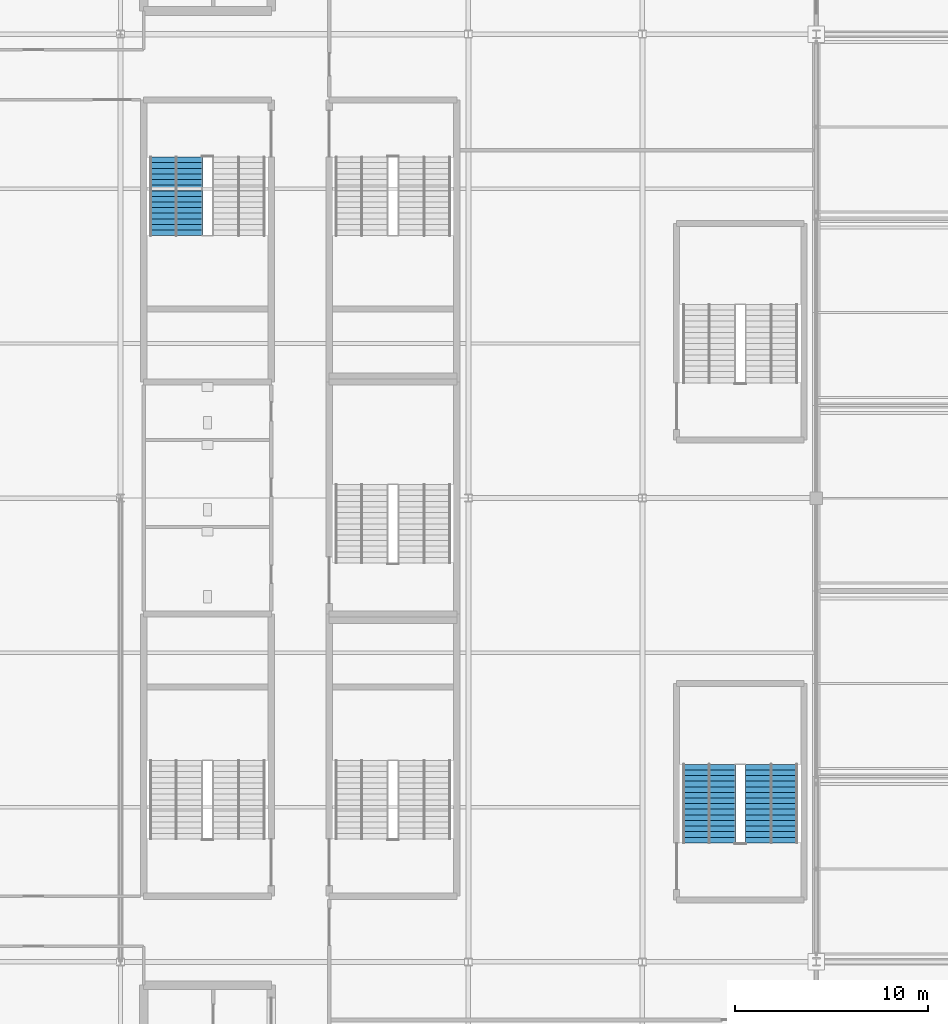
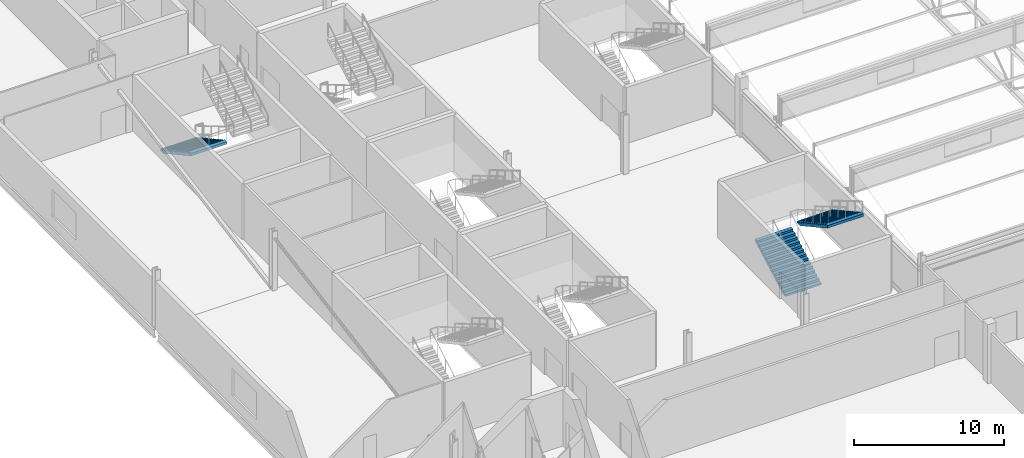
# One storey, part 118 of 136: 3 stair flights, 2 elements without a shape of their own.
"""IFC4 building model written with IfcOpenShell, lengths in metres."""

from ifc_helpers import new_model, si_unit, direction, frame, origin, place, context, subcontext, project, spatial, polygons, material, type_object, element, aggregate, save


model = new_model("IFC4")

# Units and contexts
model_context = context("Model", 3, precision=1e-05, world=origin(), true_north=direction((0.0, 1.0)))
body_context = subcontext(model_context, "Body", "Model", "MODEL_VIEW")
ifc_project = project(units=[si_unit("LENGTHUNIT", "METRE"), si_unit("AREAUNIT", "SQUARE_METRE"), si_unit("VOLUMEUNIT", "CUBIC_METRE"), si_unit("PLANEANGLEUNIT", "RADIAN"), si_unit("MASSUNIT", "GRAM", prefix="KILO")], contexts=[model_context])

# Site, building, storey
site_placement = place(None, origin())
site = spatial("IfcSite", under=ifc_project, at=site_placement, CompositionType="ELEMENT")
building_placement = place(site_placement, origin())
building = spatial("IfcBuilding", under=site, at=building_placement, Name="Kisiwana Market Hall", CompositionType="ELEMENT")
storey_placement = place(building_placement, frame((0.0, 0.0, 16.800048828125)))
storey = spatial("IfcBuildingStorey", under=building, at=storey_placement, Name="L03", CompositionType="ELEMENT", Elevation=16.800048828125)

# Stair, stair flight
ifc_material_1 = material(Name="Concrete C32/40", Category="concrete")
stair_type = type_object("IfcStairType", Name="ST-ESC-4800", PredefinedType="TWO_STRAIGHT_RUN_STAIR", material=ifc_material_1)
stair_1_placement = place(storey_placement, origin())
stair_1 = element("IfcStair", 1, at=stair_1_placement, inside=storey, type_object=stair_type, Name="Escape stair ST-W4-L03", PredefinedType="TWO_STRAIGHT_RUN_STAIR")
ifc_material_2 = material(Name="Concrete C32/40", Category="concrete")
stair_flight_type = type_object("IfcStairFlightType", Name="SF-ESC-4800", PredefinedType="STRAIGHT", material=ifc_material_2)
stair_flight_1_placement = place(storey_placement, frame((11.889892578125, 77.639892578125, 0.0), z_axis=(0.0, 0.0, 1.0), x_axis=(0.0, -1.0, 0.0)))
stair_flight_1 = element("IfcStairFlight", 2, at=stair_flight_1_placement, type_object=stair_flight_type, Name="ST-W4-L03 flight 1", NumberOfRisers=15, NumberOfTreads=14, PredefinedType="STRAIGHT", RiserHeight=0.16, TreadLength=0.29, context=body_context, shape_type="Tessellation", body=[
    polygons([(0.0, -1.380127, 0.0), (0.0, -0.690125, 0.0), (0.0, -0.000122, 0.0), (0.0, 0.68988, 0.0), (0.0, 1.379883, 0.0), (0.0, -1.380127, 0.159912), (0.0, -0.690125, 0.159912), (0.0, -0.000122, 0.159912), (0.0, 0.68988, 0.159912), (0.0, 1.379883, 0.159912), (0.290039, -1.380127, 0.159912), (0.290039, -0.690125, 0.159912), (0.290039, -0.000122, 0.159912), (0.290039, 0.68988, 0.159912), (0.290039, 1.379883, 0.159912), (0.290039, -1.380127, 0.320068), (0.290039, -0.690125, 0.320068), (0.290039, -0.000122, 0.320068), (0.290039, 0.68988, 0.320068), (0.290039, 1.379883, 0.320068), (0.580078, -1.380127, 0.320068), (0.580078, -0.690125, 0.320068), (0.580078, -0.000122, 0.320068), (0.580078, 0.68988, 0.320068), (0.580078, 1.379883, 0.320068), (0.580078, -1.380127, 0.47998), (0.580078, -0.690125, 0.47998), (0.580078, -0.000122, 0.47998), (0.580078, 0.68988, 0.47998), (0.580078, 1.379883, 0.47998), (0.870117, -1.380127, 0.47998), (0.870117, -0.690125, 0.47998), (0.870117, -0.000122, 0.47998), (0.870117, 0.68988, 0.47998), (0.870117, 1.379883, 0.47998), (0.870117, -1.380127, 0.639893), (0.870117, -0.690125, 0.639893), (0.870117, -0.000122, 0.639893), (0.870117, 0.68988, 0.639893), (0.870117, 1.379883, 0.639893), (1.159912, -1.380127, 0.639893), (1.159912, -0.690125, 0.639893), (1.159912, -0.000122, 0.639893), (1.159912, 0.68988, 0.639893), (1.159912, 1.379883, 0.639893), (1.159912, -1.380127, 0.800049), (1.159912, -0.690125, 0.800049), (1.159912, -0.000122, 0.800049), (1.159912, 0.68988, 0.800049), (1.159912, 1.379883, 0.800049), (1.449951, -1.380127, 0.800049), (1.449951, -0.690125, 0.800049), (1.449951, -0.000122, 0.800049), (1.449951, 0.68988, 0.800049), (1.449951, 1.379883, 0.800049), (1.449951, -1.380127, 0.959961), (1.449951, -0.690125, 0.959961), (1.449951, -0.000122, 0.959961), (1.449951, 0.68988, 0.959961), (1.449951, 1.379883, 0.959961), (1.73999, -1.380127, 0.959961), (1.73999, -0.690125, 0.959961), (1.73999, -0.000122, 0.959961), (1.73999, 0.68988, 0.959961), (1.73999, 1.379883, 0.959961), (1.73999, -1.380127, 1.120117), (1.73999, -0.690125, 1.120117), (1.73999, -0.000122, 1.120117), (1.73999, 0.68988, 1.120117), (1.73999, 1.379883, 1.120117), (2.030029, -1.380127, 1.120117), (2.030029, -0.690125, 1.120117), (2.030029, -0.000122, 1.120117), (2.030029, 0.68988, 1.120117), (2.030029, 1.379883, 1.120117), (2.030029, -1.380127, 1.280029), (2.030029, -0.690125, 1.280029), (2.030029, -0.000122, 1.280029), (2.030029, 0.68988, 1.280029), (2.030029, 1.379883, 1.280029), (2.320068, -1.380127, 1.280029), (2.320068, -0.690125, 1.280029), (2.320068, -0.000122, 1.280029), (2.320068, 0.68988, 1.280029), (2.320068, 1.379883, 1.280029), (2.320068, -1.380127, 1.439941), (2.320068, -0.690125, 1.439941), (2.320068, -0.000122, 1.439941), (2.320068, 0.68988, 1.439941), (2.320068, 1.379883, 1.439941), (2.610107, -1.380127, 1.439941), (2.610107, -0.690125, 1.439941), (2.610107, -0.000122, 1.439941), (2.610107, 0.68988, 1.439941), (2.610107, 1.379883, 1.439941), (2.610107, -1.380127, 1.600098), (2.610107, -0.690125, 1.600098), (2.610107, -0.000122, 1.600098), (2.610107, 0.68988, 1.600098), (2.610107, 1.379883, 1.600098), (2.899902, -1.380127, 1.600098), (2.899902, -0.690125, 1.600098), (2.899902, -0.000122, 1.600098), (2.899902, 0.68988, 1.600098), (2.899902, 1.379883, 1.600098), (2.899902, -1.380127, 1.76001), (2.899902, -0.690125, 1.76001), (2.899902, -0.000122, 1.76001), (2.899902, 0.68988, 1.76001), (2.899902, 1.379883, 1.76001), (3.189941, -1.380127, 1.76001), (3.189941, -0.690125, 1.76001), (3.189941, -0.000122, 1.76001), (3.189941, 0.68988, 1.76001), (3.189941, 1.379883, 1.76001), (3.189941, -1.380127, 1.919922), (3.189941, -0.690125, 1.919922), (3.189941, -0.000122, 1.919922), (3.189941, 0.68988, 1.919922), (3.189941, 1.379883, 1.919922), (3.47998, -1.380127, 1.919922), (3.47998, -0.690125, 1.919922), (3.47998, -0.000122, 1.919922), (3.47998, 0.68988, 1.919922), (3.47998, 1.379883, 1.919922), (3.47998, -1.380127, 2.080078), (3.47998, -0.690125, 2.080078), (3.47998, -0.000122, 2.080078), (3.47998, 0.68988, 2.080078), (3.47998, 1.379883, 2.080078), (3.77002, -1.380127, 2.080078), (3.77002, -0.690125, 2.080078), (3.77002, -0.000122, 2.080078), (3.77002, 0.68988, 2.080078), (3.77002, 1.379883, 2.080078), (3.77002, -1.380127, 2.23999), (3.77002, -0.690125, 2.23999), (3.77002, -0.000122, 2.23999), (3.77002, 0.68988, 2.23999), (3.77002, 1.379883, 2.23999), (4.060059, -1.380127, 2.23999), (4.060059, -0.690125, 2.23999), (4.060059, -0.000122, 2.23999), (4.060059, 0.68988, 2.23999), (4.060059, 1.379883, 2.23999), (4.060059, -1.380127, 2.034424), (4.060059, -0.690125, 2.034424), (4.060059, -0.000122, 2.034424), (4.060059, 0.68988, 2.034424), (4.060059, 1.379883, 2.034424), (0.372559, -1.380127, 0.0), (0.372559, -0.690125, 0.0), (0.372559, -0.000122, 0.0), (0.372559, 0.68988, 0.0), (0.372559, 1.379883, 0.0)], [[[1, 6, 7, 2]], [[2, 7, 8, 3]], [[3, 8, 9, 4]], [[4, 9, 10, 5]], [[6, 11, 12, 7]], [[7, 12, 13, 8]], [[8, 13, 14, 9]], [[9, 14, 15, 10]], [[11, 16, 17, 12]], [[12, 17, 18, 13]], [[13, 18, 19, 14]], [[14, 19, 20, 15]], [[16, 21, 22, 17]], [[17, 22, 23, 18]], [[18, 23, 24, 19]], [[19, 24, 25, 20]], [[21, 26, 27, 22]], [[22, 27, 28, 23]], [[23, 28, 29, 24]], [[24, 29, 30, 25]], [[26, 31, 32, 27]], [[27, 32, 33, 28]], [[28, 33, 34, 29]], [[29, 34, 35, 30]], [[31, 36, 37, 32]], [[32, 37, 38, 33]], [[33, 38, 39, 34]], [[34, 39, 40, 35]], [[36, 41, 42, 37]], [[37, 42, 43, 38]], [[38, 43, 44, 39]], [[39, 44, 45, 40]], [[41, 46, 47, 42]], [[42, 47, 48, 43]], [[43, 48, 49, 44]], [[44, 49, 50, 45]], [[46, 51, 52, 47]], [[47, 52, 53, 48]], [[48, 53, 54, 49]], [[49, 54, 55, 50]], [[51, 56, 57, 52]], [[52, 57, 58, 53]], [[53, 58, 59, 54]], [[54, 59, 60, 55]], [[56, 61, 62, 57]], [[57, 62, 63, 58]], [[58, 63, 64, 59]], [[59, 64, 65, 60]], [[61, 66, 67, 62]], [[62, 67, 68, 63]], [[63, 68, 69, 64]], [[64, 69, 70, 65]], [[66, 71, 72, 67]], [[67, 72, 73, 68]], [[68, 73, 74, 69]], [[69, 74, 75, 70]], [[71, 76, 77, 72]], [[72, 77, 78, 73]], [[73, 78, 79, 74]], [[74, 79, 80, 75]], [[76, 81, 82, 77]], [[77, 82, 83, 78]], [[78, 83, 84, 79]], [[79, 84, 85, 80]], [[81, 86, 87, 82]], [[82, 87, 88, 83]], [[83, 88, 89, 84]], [[84, 89, 90, 85]], [[86, 91, 92, 87]], [[87, 92, 93, 88]], [[88, 93, 94, 89]], [[89, 94, 95, 90]], [[91, 96, 97, 92]], [[92, 97, 98, 93]], [[93, 98, 99, 94]], [[94, 99, 100, 95]], [[96, 101, 102, 97]], [[97, 102, 103, 98]], [[98, 103, 104, 99]], [[99, 104, 105, 100]], [[101, 106, 107, 102]], [[102, 107, 108, 103]], [[103, 108, 109, 104]], [[104, 109, 110, 105]], [[106, 111, 112, 107]], [[107, 112, 113, 108]], [[108, 113, 114, 109]], [[109, 114, 115, 110]], [[111, 116, 117, 112]], [[112, 117, 118, 113]], [[113, 118, 119, 114]], [[114, 119, 120, 115]], [[116, 121, 122, 117]], [[117, 122, 123, 118]], [[118, 123, 124, 119]], [[119, 124, 125, 120]], [[121, 126, 127, 122]], [[122, 127, 128, 123]], [[123, 128, 129, 124]], [[124, 129, 130, 125]], [[126, 131, 132, 127]], [[127, 132, 133, 128]], [[128, 133, 134, 129]], [[129, 134, 135, 130]], [[131, 136, 137, 132]], [[132, 137, 138, 133]], [[133, 138, 139, 134]], [[134, 139, 140, 135]], [[136, 141, 142, 137]], [[137, 142, 143, 138]], [[138, 143, 144, 139]], [[139, 144, 145, 140]], [[141, 146, 147, 142]], [[142, 147, 148, 143]], [[143, 148, 149, 144]], [[144, 149, 150, 145]], [[146, 151, 152, 147]], [[147, 152, 153, 148]], [[148, 153, 154, 149]], [[149, 154, 155, 150]], [[151, 1, 2, 152]], [[152, 2, 3, 153]], [[153, 3, 4, 154]], [[154, 4, 5, 155]], [[151, 146, 141, 136, 131, 126, 121, 116, 111, 106, 101, 96, 91, 86, 81, 76, 71, 66, 61, 56, 51, 46, 41, 36, 31, 26, 21, 16, 11, 6, 1]], [[5, 10, 15, 20, 25, 30, 35, 40, 45, 50, 55, 60, 65, 70, 75, 80, 85, 90, 95, 100, 105, 110, 115, 120, 125, 130, 135, 140, 145, 150, 155]]], closed=True),
])
aggregate(stair_1, [stair_flight_1])

# Stair, stair flights
stair_2_placement = place(storey_placement, origin())
stair_2 = element("IfcStair", 3, at=stair_2_placement, inside=storey, type_object=stair_type, Name="Escape stair ST-W9-L03", PredefinedType="TWO_STRAIGHT_RUN_STAIR")
stair_flight_2_placement = place(storey_placement, frame((39.4599609375, 42.159912109375, 0.0), z_axis=(0.0, 0.0, 1.0), x_axis=(0.0, 1.0, 0.0)))
stair_flight_2 = element("IfcStairFlight", 4, at=stair_flight_2_placement, type_object=stair_flight_type, Name="ST-W9-L03 flight 1", NumberOfRisers=15, NumberOfTreads=14, PredefinedType="STRAIGHT", RiserHeight=0.16, TreadLength=0.29, context=body_context, shape_type="Tessellation", body=[
    polygons([(0.0, -1.380127, 0.0), (0.0, -0.690125, 0.0), (0.0, -0.000122, 0.0), (0.0, 0.68988, 0.0), (0.0, 1.379883, 0.0), (0.0, -1.380127, 0.159912), (0.0, -0.690125, 0.159912), (0.0, -0.000122, 0.159912), (0.0, 0.68988, 0.159912), (0.0, 1.379883, 0.159912), (0.290039, -1.380127, 0.159912), (0.290039, -0.690125, 0.159912), (0.290039, -0.000122, 0.159912), (0.290039, 0.68988, 0.159912), (0.290039, 1.379883, 0.159912), (0.290039, -1.380127, 0.320068), (0.290039, -0.690125, 0.320068), (0.290039, -0.000122, 0.320068), (0.290039, 0.68988, 0.320068), (0.290039, 1.379883, 0.320068), (0.580078, -1.380127, 0.320068), (0.580078, -0.690125, 0.320068), (0.580078, -0.000122, 0.320068), (0.580078, 0.68988, 0.320068), (0.580078, 1.379883, 0.320068), (0.580078, -1.380127, 0.47998), (0.580078, -0.690125, 0.47998), (0.580078, -0.000122, 0.47998), (0.580078, 0.68988, 0.47998), (0.580078, 1.379883, 0.47998), (0.870117, -1.380127, 0.47998), (0.870117, -0.690125, 0.47998), (0.870117, -0.000122, 0.47998), (0.870117, 0.68988, 0.47998), (0.870117, 1.379883, 0.47998), (0.870117, -1.380127, 0.639893), (0.870117, -0.690125, 0.639893), (0.870117, -0.000122, 0.639893), (0.870117, 0.68988, 0.639893), (0.870117, 1.379883, 0.639893), (1.159912, -1.380127, 0.639893), (1.159912, -0.690125, 0.639893), (1.159912, -0.000122, 0.639893), (1.159912, 0.68988, 0.639893), (1.159912, 1.379883, 0.639893), (1.159912, -1.380127, 0.800049), (1.159912, -0.690125, 0.800049), (1.159912, -0.000122, 0.800049), (1.159912, 0.68988, 0.800049), (1.159912, 1.379883, 0.800049), (1.449951, -1.380127, 0.800049), (1.449951, -0.690125, 0.800049), (1.449951, -0.000122, 0.800049), (1.449951, 0.68988, 0.800049), (1.449951, 1.379883, 0.800049), (1.449951, -1.380127, 0.959961), (1.449951, -0.690125, 0.959961), (1.449951, -0.000122, 0.959961), (1.449951, 0.68988, 0.959961), (1.449951, 1.379883, 0.959961), (1.73999, -1.380127, 0.959961), (1.73999, -0.690125, 0.959961), (1.73999, -0.000122, 0.959961), (1.73999, 0.68988, 0.959961), (1.73999, 1.379883, 0.959961), (1.73999, -1.380127, 1.120117), (1.73999, -0.690125, 1.120117), (1.73999, -0.000122, 1.120117), (1.73999, 0.68988, 1.120117), (1.73999, 1.379883, 1.120117), (2.030029, -1.380127, 1.120117), (2.030029, -0.690125, 1.120117), (2.030029, -0.000122, 1.120117), (2.030029, 0.68988, 1.120117), (2.030029, 1.379883, 1.120117), (2.030029, -1.380127, 1.280029), (2.030029, -0.690125, 1.280029), (2.030029, -0.000122, 1.280029), (2.030029, 0.68988, 1.280029), (2.030029, 1.379883, 1.280029), (2.320068, -1.380127, 1.280029), (2.320068, -0.690125, 1.280029), (2.320068, -0.000122, 1.280029), (2.320068, 0.68988, 1.280029), (2.320068, 1.379883, 1.280029), (2.320068, -1.380127, 1.439941), (2.320068, -0.690125, 1.439941), (2.320068, -0.000122, 1.439941), (2.320068, 0.68988, 1.439941), (2.320068, 1.379883, 1.439941), (2.610107, -1.380127, 1.439941), (2.610107, -0.690125, 1.439941), (2.610107, -0.000122, 1.439941), (2.610107, 0.68988, 1.439941), (2.610107, 1.379883, 1.439941), (2.610107, -1.380127, 1.600098), (2.610107, -0.690125, 1.600098), (2.610107, -0.000122, 1.600098), (2.610107, 0.68988, 1.600098), (2.610107, 1.379883, 1.600098), (2.899902, -1.380127, 1.600098), (2.899902, -0.690125, 1.600098), (2.899902, -0.000122, 1.600098), (2.899902, 0.68988, 1.600098), (2.899902, 1.379883, 1.600098), (2.899902, -1.380127, 1.76001), (2.899902, -0.690125, 1.76001), (2.899902, -0.000122, 1.76001), (2.899902, 0.68988, 1.76001), (2.899902, 1.379883, 1.76001), (3.189941, -1.380127, 1.76001), (3.189941, -0.690125, 1.76001), (3.189941, -0.000122, 1.76001), (3.189941, 0.68988, 1.76001), (3.189941, 1.379883, 1.76001), (3.189941, -1.380127, 1.919922), (3.189941, -0.690125, 1.919922), (3.189941, -0.000122, 1.919922), (3.189941, 0.68988, 1.919922), (3.189941, 1.379883, 1.919922), (3.47998, -1.380127, 1.919922), (3.47998, -0.690125, 1.919922), (3.47998, -0.000122, 1.919922), (3.47998, 0.68988, 1.919922), (3.47998, 1.379883, 1.919922), (3.47998, -1.380127, 2.080078), (3.47998, -0.690125, 2.080078), (3.47998, -0.000122, 2.080078), (3.47998, 0.68988, 2.080078), (3.47998, 1.379883, 2.080078), (3.77002, -1.380127, 2.080078), (3.77002, -0.690125, 2.080078), (3.77002, -0.000122, 2.080078), (3.77002, 0.68988, 2.080078), (3.77002, 1.379883, 2.080078), (3.77002, -1.380127, 2.23999), (3.77002, -0.690125, 2.23999), (3.77002, -0.000122, 2.23999), (3.77002, 0.68988, 2.23999), (3.77002, 1.379883, 2.23999), (4.060059, -1.380127, 2.23999), (4.060059, -0.690125, 2.23999), (4.060059, -0.000122, 2.23999), (4.060059, 0.68988, 2.23999), (4.060059, 1.379883, 2.23999), (4.060059, -1.380127, 2.034424), (4.060059, -0.690125, 2.034424), (4.060059, -0.000122, 2.034424), (4.060059, 0.68988, 2.034424), (4.060059, 1.379883, 2.034424), (0.372559, -1.380127, 0.0), (0.372559, -0.690125, 0.0), (0.372559, -0.000122, 0.0), (0.372559, 0.68988, 0.0), (0.372559, 1.379883, 0.0)], [[[1, 6, 7, 2]], [[2, 7, 8, 3]], [[3, 8, 9, 4]], [[4, 9, 10, 5]], [[6, 11, 12, 7]], [[7, 12, 13, 8]], [[8, 13, 14, 9]], [[9, 14, 15, 10]], [[11, 16, 17, 12]], [[12, 17, 18, 13]], [[13, 18, 19, 14]], [[14, 19, 20, 15]], [[16, 21, 22, 17]], [[17, 22, 23, 18]], [[18, 23, 24, 19]], [[19, 24, 25, 20]], [[21, 26, 27, 22]], [[22, 27, 28, 23]], [[23, 28, 29, 24]], [[24, 29, 30, 25]], [[26, 31, 32, 27]], [[27, 32, 33, 28]], [[28, 33, 34, 29]], [[29, 34, 35, 30]], [[31, 36, 37, 32]], [[32, 37, 38, 33]], [[33, 38, 39, 34]], [[34, 39, 40, 35]], [[36, 41, 42, 37]], [[37, 42, 43, 38]], [[38, 43, 44, 39]], [[39, 44, 45, 40]], [[41, 46, 47, 42]], [[42, 47, 48, 43]], [[43, 48, 49, 44]], [[44, 49, 50, 45]], [[46, 51, 52, 47]], [[47, 52, 53, 48]], [[48, 53, 54, 49]], [[49, 54, 55, 50]], [[51, 56, 57, 52]], [[52, 57, 58, 53]], [[53, 58, 59, 54]], [[54, 59, 60, 55]], [[56, 61, 62, 57]], [[57, 62, 63, 58]], [[58, 63, 64, 59]], [[59, 64, 65, 60]], [[61, 66, 67, 62]], [[62, 67, 68, 63]], [[63, 68, 69, 64]], [[64, 69, 70, 65]], [[66, 71, 72, 67]], [[67, 72, 73, 68]], [[68, 73, 74, 69]], [[69, 74, 75, 70]], [[71, 76, 77, 72]], [[72, 77, 78, 73]], [[73, 78, 79, 74]], [[74, 79, 80, 75]], [[76, 81, 82, 77]], [[77, 82, 83, 78]], [[78, 83, 84, 79]], [[79, 84, 85, 80]], [[81, 86, 87, 82]], [[82, 87, 88, 83]], [[83, 88, 89, 84]], [[84, 89, 90, 85]], [[86, 91, 92, 87]], [[87, 92, 93, 88]], [[88, 93, 94, 89]], [[89, 94, 95, 90]], [[91, 96, 97, 92]], [[92, 97, 98, 93]], [[93, 98, 99, 94]], [[94, 99, 100, 95]], [[96, 101, 102, 97]], [[97, 102, 103, 98]], [[98, 103, 104, 99]], [[99, 104, 105, 100]], [[101, 106, 107, 102]], [[102, 107, 108, 103]], [[103, 108, 109, 104]], [[104, 109, 110, 105]], [[106, 111, 112, 107]], [[107, 112, 113, 108]], [[108, 113, 114, 109]], [[109, 114, 115, 110]], [[111, 116, 117, 112]], [[112, 117, 118, 113]], [[113, 118, 119, 114]], [[114, 119, 120, 115]], [[116, 121, 122, 117]], [[117, 122, 123, 118]], [[118, 123, 124, 119]], [[119, 124, 125, 120]], [[121, 126, 127, 122]], [[122, 127, 128, 123]], [[123, 128, 129, 124]], [[124, 129, 130, 125]], [[126, 131, 132, 127]], [[127, 132, 133, 128]], [[128, 133, 134, 129]], [[129, 134, 135, 130]], [[131, 136, 137, 132]], [[132, 137, 138, 133]], [[133, 138, 139, 134]], [[134, 139, 140, 135]], [[136, 141, 142, 137]], [[137, 142, 143, 138]], [[138, 143, 144, 139]], [[139, 144, 145, 140]], [[141, 146, 147, 142]], [[142, 147, 148, 143]], [[143, 148, 149, 144]], [[144, 149, 150, 145]], [[146, 151, 152, 147]], [[147, 152, 153, 148]], [[148, 153, 154, 149]], [[149, 154, 155, 150]], [[151, 1, 2, 152]], [[152, 2, 3, 153]], [[153, 3, 4, 154]], [[154, 4, 5, 155]], [[151, 146, 141, 136, 131, 126, 121, 116, 111, 106, 101, 96, 91, 86, 81, 76, 71, 66, 61, 56, 51, 46, 41, 36, 31, 26, 21, 16, 11, 6, 1]], [[5, 10, 15, 20, 25, 30, 35, 40, 45, 50, 55, 60, 65, 70, 75, 80, 85, 90, 95, 100, 105, 110, 115, 120, 125, 130, 135, 140, 145, 150, 155]]], closed=True),
])
stair_flight_3_placement = place(storey_placement, frame((42.679931640625, 46.219970703125, 2.39990234375), z_axis=(0.0, 0.0, 1.0), x_axis=(0.0, -1.0, 0.0)))
stair_flight_3 = element("IfcStairFlight", 5, at=stair_flight_3_placement, type_object=stair_flight_type, Name="ST-W9-L03 flight 2", NumberOfRisers=15, NumberOfTreads=14, PredefinedType="STRAIGHT", RiserHeight=0.16, TreadLength=0.29, context=body_context, shape_type="Tessellation", body=[
    polygons([(0.0, -1.380127, 0.0), (0.0, -0.690125, 0.0), (0.0, -0.000122, 0.0), (0.0, 0.68988, 0.0), (0.0, 1.379883, 0.0), (0.0, -1.380127, 0.159912), (0.0, -0.690125, 0.159912), (0.0, -0.000122, 0.159912), (0.0, 0.68988, 0.159912), (0.0, 1.379883, 0.159912), (0.290039, -1.380127, 0.159912), (0.290039, -0.690125, 0.159912), (0.290039, -0.000122, 0.159912), (0.290039, 0.68988, 0.159912), (0.290039, 1.379883, 0.159912), (0.290039, -1.380127, 0.320068), (0.290039, -0.690125, 0.320068), (0.290039, -0.000122, 0.320068), (0.290039, 0.68988, 0.320068), (0.290039, 1.379883, 0.320068), (0.580078, -1.380127, 0.320068), (0.580078, -0.690125, 0.320068), (0.580078, -0.000122, 0.320068), (0.580078, 0.68988, 0.320068), (0.580078, 1.379883, 0.320068), (0.580078, -1.380127, 0.47998), (0.580078, -0.690125, 0.47998), (0.580078, -0.000122, 0.47998), (0.580078, 0.68988, 0.47998), (0.580078, 1.379883, 0.47998), (0.870117, -1.380127, 0.47998), (0.870117, -0.690125, 0.47998), (0.870117, -0.000122, 0.47998), (0.870117, 0.68988, 0.47998), (0.870117, 1.379883, 0.47998), (0.870117, -1.380127, 0.639893), (0.870117, -0.690125, 0.639893), (0.870117, -0.000122, 0.639893), (0.870117, 0.68988, 0.639893), (0.870117, 1.379883, 0.639893), (1.159912, -1.380127, 0.639893), (1.159912, -0.690125, 0.639893), (1.159912, -0.000122, 0.639893), (1.159912, 0.68988, 0.639893), (1.159912, 1.379883, 0.639893), (1.159912, -1.380127, 0.800049), (1.159912, -0.690125, 0.800049), (1.159912, -0.000122, 0.800049), (1.159912, 0.68988, 0.800049), (1.159912, 1.379883, 0.800049), (1.449951, -1.380127, 0.800049), (1.449951, -0.690125, 0.800049), (1.449951, -0.000122, 0.800049), (1.449951, 0.68988, 0.800049), (1.449951, 1.379883, 0.800049), (1.449951, -1.380127, 0.959961), (1.449951, -0.690125, 0.959961), (1.449951, -0.000122, 0.959961), (1.449951, 0.68988, 0.959961), (1.449951, 1.379883, 0.959961), (1.73999, -1.380127, 0.959961), (1.73999, -0.690125, 0.959961), (1.73999, -0.000122, 0.959961), (1.73999, 0.68988, 0.959961), (1.73999, 1.379883, 0.959961), (1.73999, -1.380127, 1.120117), (1.73999, -0.690125, 1.120117), (1.73999, -0.000122, 1.120117), (1.73999, 0.68988, 1.120117), (1.73999, 1.379883, 1.120117), (2.030029, -1.380127, 1.120117), (2.030029, -0.690125, 1.120117), (2.030029, -0.000122, 1.120117), (2.030029, 0.68988, 1.120117), (2.030029, 1.379883, 1.120117), (2.030029, -1.380127, 1.280029), (2.030029, -0.690125, 1.280029), (2.030029, -0.000122, 1.280029), (2.030029, 0.68988, 1.280029), (2.030029, 1.379883, 1.280029), (2.320068, -1.380127, 1.280029), (2.320068, -0.690125, 1.280029), (2.320068, -0.000122, 1.280029), (2.320068, 0.68988, 1.280029), (2.320068, 1.379883, 1.280029), (2.320068, -1.380127, 1.439941), (2.320068, -0.690125, 1.439941), (2.320068, -0.000122, 1.439941), (2.320068, 0.68988, 1.439941), (2.320068, 1.379883, 1.439941), (2.610107, -1.380127, 1.439941), (2.610107, -0.690125, 1.439941), (2.610107, -0.000122, 1.439941), (2.610107, 0.68988, 1.439941), (2.610107, 1.379883, 1.439941), (2.610107, -1.380127, 1.600098), (2.610107, -0.690125, 1.600098), (2.610107, -0.000122, 1.600098), (2.610107, 0.68988, 1.600098), (2.610107, 1.379883, 1.600098), (2.899902, -1.380127, 1.600098), (2.899902, -0.690125, 1.600098), (2.899902, -0.000122, 1.600098), (2.899902, 0.68988, 1.600098), (2.899902, 1.379883, 1.600098), (2.899902, -1.380127, 1.76001), (2.899902, -0.690125, 1.76001), (2.899902, -0.000122, 1.76001), (2.899902, 0.68988, 1.76001), (2.899902, 1.379883, 1.76001), (3.189941, -1.380127, 1.76001), (3.189941, -0.690125, 1.76001), (3.189941, -0.000122, 1.76001), (3.189941, 0.68988, 1.76001), (3.189941, 1.379883, 1.76001), (3.189941, -1.380127, 1.919922), (3.189941, -0.690125, 1.919922), (3.189941, -0.000122, 1.919922), (3.189941, 0.68988, 1.919922), (3.189941, 1.379883, 1.919922), (3.47998, -1.380127, 1.919922), (3.47998, -0.690125, 1.919922), (3.47998, -0.000122, 1.919922), (3.47998, 0.68988, 1.919922), (3.47998, 1.379883, 1.919922), (3.47998, -1.380127, 2.080078), (3.47998, -0.690125, 2.080078), (3.47998, -0.000122, 2.080078), (3.47998, 0.68988, 2.080078), (3.47998, 1.379883, 2.080078), (3.77002, -1.380127, 2.080078), (3.77002, -0.690125, 2.080078), (3.77002, -0.000122, 2.080078), (3.77002, 0.68988, 2.080078), (3.77002, 1.379883, 2.080078), (3.77002, -1.380127, 2.23999), (3.77002, -0.690125, 2.23999), (3.77002, -0.000122, 2.23999), (3.77002, 0.68988, 2.23999), (3.77002, 1.379883, 2.23999), (4.060059, -1.380127, 2.23999), (4.060059, -0.690125, 2.23999), (4.060059, -0.000122, 2.23999), (4.060059, 0.68988, 2.23999), (4.060059, 1.379883, 2.23999), (4.060059, -1.380127, 2.034424), (4.060059, -0.690125, 2.034424), (4.060059, -0.000122, 2.034424), (4.060059, 0.68988, 2.034424), (4.060059, 1.379883, 2.034424), (0.372559, -1.380127, 0.0), (0.372559, -0.690125, 0.0), (0.372559, -0.000122, 0.0), (0.372559, 0.68988, 0.0), (0.372559, 1.379883, 0.0)], [[[1, 6, 7, 2]], [[2, 7, 8, 3]], [[3, 8, 9, 4]], [[4, 9, 10, 5]], [[6, 11, 12, 7]], [[7, 12, 13, 8]], [[8, 13, 14, 9]], [[9, 14, 15, 10]], [[11, 16, 17, 12]], [[12, 17, 18, 13]], [[13, 18, 19, 14]], [[14, 19, 20, 15]], [[16, 21, 22, 17]], [[17, 22, 23, 18]], [[18, 23, 24, 19]], [[19, 24, 25, 20]], [[21, 26, 27, 22]], [[22, 27, 28, 23]], [[23, 28, 29, 24]], [[24, 29, 30, 25]], [[26, 31, 32, 27]], [[27, 32, 33, 28]], [[28, 33, 34, 29]], [[29, 34, 35, 30]], [[31, 36, 37, 32]], [[32, 37, 38, 33]], [[33, 38, 39, 34]], [[34, 39, 40, 35]], [[36, 41, 42, 37]], [[37, 42, 43, 38]], [[38, 43, 44, 39]], [[39, 44, 45, 40]], [[41, 46, 47, 42]], [[42, 47, 48, 43]], [[43, 48, 49, 44]], [[44, 49, 50, 45]], [[46, 51, 52, 47]], [[47, 52, 53, 48]], [[48, 53, 54, 49]], [[49, 54, 55, 50]], [[51, 56, 57, 52]], [[52, 57, 58, 53]], [[53, 58, 59, 54]], [[54, 59, 60, 55]], [[56, 61, 62, 57]], [[57, 62, 63, 58]], [[58, 63, 64, 59]], [[59, 64, 65, 60]], [[61, 66, 67, 62]], [[62, 67, 68, 63]], [[63, 68, 69, 64]], [[64, 69, 70, 65]], [[66, 71, 72, 67]], [[67, 72, 73, 68]], [[68, 73, 74, 69]], [[69, 74, 75, 70]], [[71, 76, 77, 72]], [[72, 77, 78, 73]], [[73, 78, 79, 74]], [[74, 79, 80, 75]], [[76, 81, 82, 77]], [[77, 82, 83, 78]], [[78, 83, 84, 79]], [[79, 84, 85, 80]], [[81, 86, 87, 82]], [[82, 87, 88, 83]], [[83, 88, 89, 84]], [[84, 89, 90, 85]], [[86, 91, 92, 87]], [[87, 92, 93, 88]], [[88, 93, 94, 89]], [[89, 94, 95, 90]], [[91, 96, 97, 92]], [[92, 97, 98, 93]], [[93, 98, 99, 94]], [[94, 99, 100, 95]], [[96, 101, 102, 97]], [[97, 102, 103, 98]], [[98, 103, 104, 99]], [[99, 104, 105, 100]], [[101, 106, 107, 102]], [[102, 107, 108, 103]], [[103, 108, 109, 104]], [[104, 109, 110, 105]], [[106, 111, 112, 107]], [[107, 112, 113, 108]], [[108, 113, 114, 109]], [[109, 114, 115, 110]], [[111, 116, 117, 112]], [[112, 117, 118, 113]], [[113, 118, 119, 114]], [[114, 119, 120, 115]], [[116, 121, 122, 117]], [[117, 122, 123, 118]], [[118, 123, 124, 119]], [[119, 124, 125, 120]], [[121, 126, 127, 122]], [[122, 127, 128, 123]], [[123, 128, 129, 124]], [[124, 129, 130, 125]], [[126, 131, 132, 127]], [[127, 132, 133, 128]], [[128, 133, 134, 129]], [[129, 134, 135, 130]], [[131, 136, 137, 132]], [[132, 137, 138, 133]], [[133, 138, 139, 134]], [[134, 139, 140, 135]], [[136, 141, 142, 137]], [[137, 142, 143, 138]], [[138, 143, 144, 139]], [[139, 144, 145, 140]], [[141, 146, 147, 142]], [[142, 147, 148, 143]], [[143, 148, 149, 144]], [[144, 149, 150, 145]], [[146, 151, 152, 147]], [[147, 152, 153, 148]], [[148, 153, 154, 149]], [[149, 154, 155, 150]], [[151, 1, 2, 152]], [[152, 2, 3, 153]], [[153, 3, 4, 154]], [[154, 4, 5, 155]], [[151, 146, 141, 136, 131, 126, 121, 116, 111, 106, 101, 96, 91, 86, 81, 76, 71, 66, 61, 56, 51, 46, 41, 36, 31, 26, 21, 16, 11, 6, 1]], [[5, 10, 15, 20, 25, 30, 35, 40, 45, 50, 55, 60, 65, 70, 75, 80, 85, 90, 95, 100, 105, 110, 115, 120, 125, 130, 135, 140, 145, 150, 155]]], closed=True),
])
aggregate(stair_2, [stair_flight_2, stair_flight_3])

save(model, "model.ifc")
